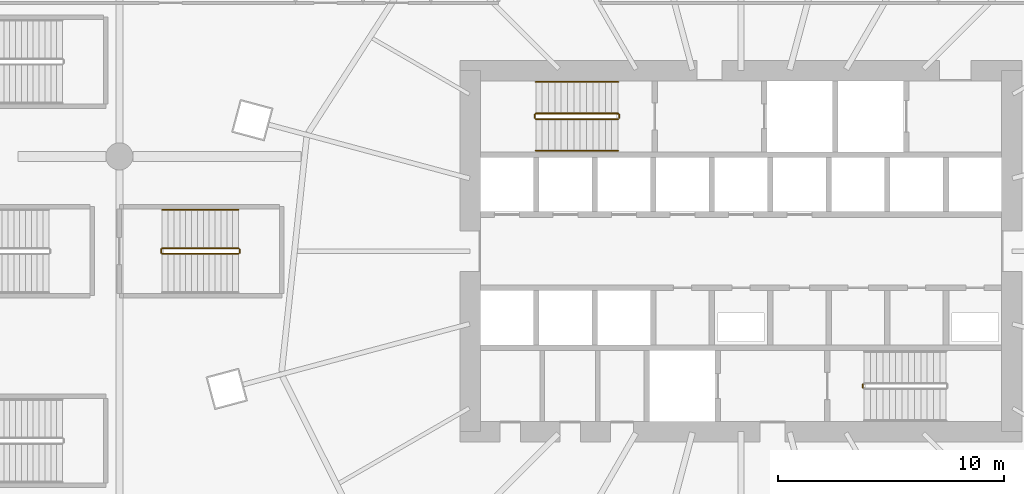
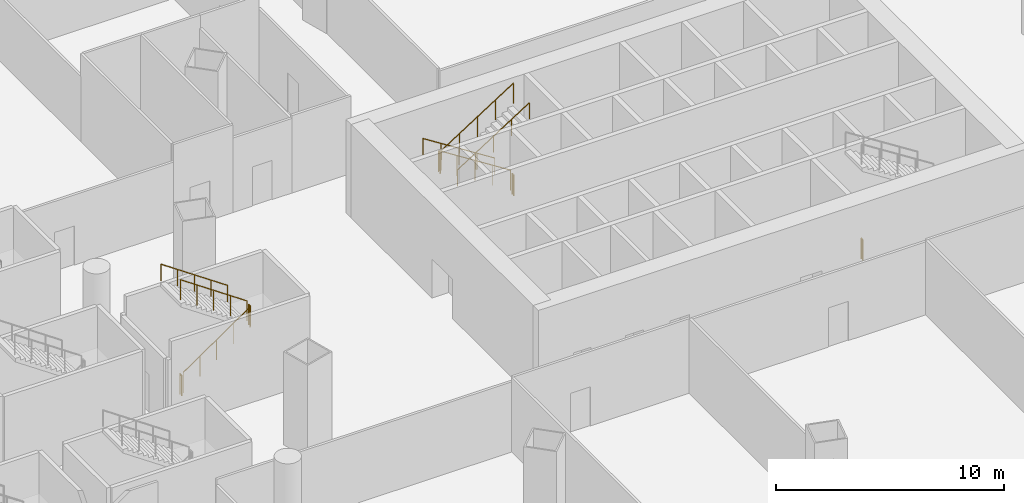
# One storey, part 48 of 51: 12 railings.
"""IFC4 building model written with IfcOpenShell, lengths in metres."""

import ifcopenshell
import ifcopenshell.guid

model = None  # the IFC model being written
_history = None  # IfcOwnerHistory: only IFC2X3 demands one
_inside = {}  # id of a spatial element -> (the spatial element, [elements in it])
_under = {}  # id of a project, library or spatial element -> (it, [spatial elements below it])
_declared = {}  # id of a project -> (the project, [libraries it declares])
_typed = {}  # id of a type object -> (the type object, [elements of that type])
_made_of = {}  # id of a material, layer set ... -> (it, [elements and type objects made of it])


def new_model(schema):
    """Start an empty IFC model of exactly this schema.

    Asked for "IFC4X3", IfcOpenShell would pick the latest addendum, in which some entities
    have other attributes; the version numbers below select the first issue.
    IFC2X3 requires an IfcOwnerHistory on every rooted entity: one is made here for all.
    """
    global model, _history
    if schema == "IFC4X3":
        model = ifcopenshell.file(schema_version=(4, 3, 0, 0))
    else:
        model = ifcopenshell.file(schema=schema)
    _inside.clear()
    _under.clear()
    _declared.clear()
    _typed.clear()
    _made_of.clear()
    _history = None
    if model.schema == "IFC2X3":
        org = make("IfcOrganization", Name="unknown")
        user = make(
            "IfcPersonAndOrganization",
            ThePerson=make("IfcPerson", FamilyName="unknown"),
            TheOrganization=org,
        )
        app = make(
            "IfcApplication",
            ApplicationDeveloper=org,
            Version="unknown",
            ApplicationFullName="unknown",
            ApplicationIdentifier="unknown",
        )
        _history = make(
            "IfcOwnerHistory",
            OwningUser=user,
            OwningApplication=app,
            ChangeAction="ADDED",
            CreationDate=0,
        )
    return model


def make(cls, **values):
    """One entity of the class cls with the attributes given. An attribute that is None is left unset."""
    return model.create_entity(
        cls, **{name: value for name, value in values.items() if value is not None}
    )


def rooted(cls, **values):
    """An entity with a GlobalId (a new one), such as an element, a storey or a relation."""
    return make(cls, GlobalId=ifcopenshell.guid.new(), OwnerHistory=_history, **values)


def si_unit(unit_type, name, prefix=None):
    """IfcSIUnit, for example si_unit("LENGTHUNIT", "METRE", prefix="MILLI")."""
    return make("IfcSIUnit", UnitType=unit_type, Prefix=prefix, Name=name)


def assignment(units):
    """IfcUnitAssignment: the units of a project."""
    return None if units is None else make("IfcUnitAssignment", Units=units)


def point(xyz):
    """IfcCartesianPoint."""
    return None if xyz is None else make("IfcCartesianPoint", Coordinates=xyz)


def direction(xyz):
    """IfcDirection."""
    return None if xyz is None else make("IfcDirection", DirectionRatios=xyz)


def frame(location, z_axis=None, x_axis=None):
    """IfcAxis2Placement3D, a coordinate frame: its origin and axes. An axis left out is left unset."""
    return make(
        "IfcAxis2Placement3D",
        Location=point(location),
        Axis=direction(z_axis),
        RefDirection=direction(x_axis),
    )


def frame_2d(location, x_axis=None):
    """IfcAxis2Placement2D, a coordinate frame in the plane: its origin and x axis."""
    return make(
        "IfcAxis2Placement2D", Location=point(location), RefDirection=direction(x_axis)
    )


def origin():
    """The frame at (0, 0, 0) with its axes left unset."""
    return frame((0.0, 0.0, 0.0))


def origin_2d():
    """The frame at (0, 0) in the plane with its x axis left unset."""
    return frame_2d((0.0, 0.0))


def place(relative_to, where):
    """IfcLocalPlacement: puts the frame where relative to a parent placement (None: the world)."""
    return make(
        "IfcLocalPlacement", PlacementRelTo=relative_to, RelativePlacement=where
    )


def context(
    kind, dimensions, precision=None, world=None, true_north=None, identifier=None
):
    """IfcGeometricRepresentationContext, for example the 3D "Model" context."""
    return make(
        "IfcGeometricRepresentationContext",
        ContextIdentifier=identifier,
        ContextType=kind,
        CoordinateSpaceDimension=dimensions,
        Precision=precision,
        WorldCoordinateSystem=world,
        TrueNorth=true_north,
    )


def subcontext(parent, identifier, kind, view, scale=None):
    """IfcGeometricRepresentationSubContext, for example "Body" below "Model"."""
    return make(
        "IfcGeometricRepresentationSubContext",
        ContextIdentifier=identifier,
        ContextType=kind,
        ParentContext=parent,
        TargetScale=scale,
        TargetView=view,
    )


def project(units=None, contexts=None):
    """IfcProject with its units and contexts."""
    return rooted(
        "IfcProject",
        Name="project",
        RepresentationContexts=contexts,
        UnitsInContext=assignment(units),
    )


def spatial(cls, under=None, at=None, **own):
    """A site, building, storey or space (cls), placed at a placement, below another one or the project."""
    s = rooted(cls, ObjectPlacement=at, **own)
    if under is not None:
        _under.setdefault(under.id(), (under, []))[1].append(s)
    return s


def profile(cls, at=None, kind="AREA", **sizes):
    """A parametric profile (cls). Its sizes go by their IFC names, for example OverallWidth=200.0."""
    return make(cls, ProfileType=kind, Position=at, **sizes)


def circle(**sizes):
    """IfcCircleProfileDef."""
    return profile("IfcCircleProfileDef", **sizes)


def extrude(swept, where, along, depth):
    """IfcExtrudedAreaSolid: the profile swept, set in the frame where, extruded along a direction by depth."""
    return make(
        "IfcExtrudedAreaSolid",
        SweptArea=swept,
        Position=where,
        ExtrudedDirection=direction(along),
        Depth=depth,
    )


def shape(context_of_items, identifier, shape_type, items):
    """IfcShapeRepresentation: the items that make up one representation, for example the "Body"."""
    return make(
        "IfcShapeRepresentation",
        ContextOfItems=context_of_items,
        RepresentationIdentifier=identifier,
        RepresentationType=shape_type,
        Items=items,
    )


def material(Name=None, Category=None):
    """IfcMaterial."""
    return make("IfcMaterial", Name=Name, Category=Category)


def made_of(thing, what):
    """Note that an element or type object is made of a material, layer set ...; save() writes the relation."""
    if what is not None:
        _made_of.setdefault(what.id(), (what, []))[1].append(thing)
    return thing


def type_object(cls, material=None, **own):
    """A type object (cls), such as IfcWallType, which elements share."""
    return made_of(rooted(cls, **own), material)


def element(
    cls,
    number,
    at=None,
    inside=None,
    cuts=None,
    type_object=None,
    material=None,
    context=None,
    identifier="Body",
    shape_type=None,
    held_by="IfcProductDefinitionShape",
    body=None,
    shapes=None,
    **own,
):
    """One element of the class cls, such as IfcWall. Its Tag is "e" and its number.

    at: its placement. inside: the storey or other place that contains it. cuts: it is an
    opening in that element (IfcRelVoidsElement). A single representation is given by context,
    identifier, shape_type and body (its items); several are given by shapes. held_by: the class
    of the entity that holds the representations. save() writes the other relations.
    """
    e = rooted(cls, Tag="e%d" % number, ObjectPlacement=at, **own)
    if body is not None:
        shapes = [shape(context, identifier, shape_type, body)]
    if shapes is not None:
        e.Representation = make(held_by, Representations=shapes)
    if inside is not None:
        _inside.setdefault(inside.id(), (inside, []))[1].append(e)
    if cuts is not None:
        rooted(
            "IfcRelVoidsElement", RelatingBuildingElement=cuts, RelatedOpeningElement=e
        )
    if type_object is not None:
        _typed.setdefault(type_object.id(), (type_object, []))[1].append(e)
    return made_of(e, material)


def aggregate(whole, parts):
    """IfcRelAggregates: a whole, such as a stair, and the parts it consists of."""
    return rooted("IfcRelAggregates", RelatingObject=whole, RelatedObjects=parts)


def save(model, path):
    """Write the relations noted so far, then the file.

    IfcRelAggregates (storeys below a building ...), IfcRelContainedInSpatialStructure (elements
    in a storey), IfcRelDefinesByType, IfcRelAssociatesMaterial and IfcRelDeclares: one each for
    every whole, place, type object, material and project.
    """
    for whole, parts in _under.values():
        aggregate(whole, parts)
    for where, things in _inside.values():
        rooted(
            "IfcRelContainedInSpatialStructure",
            RelatedElements=things,
            RelatingStructure=where,
        )
    for kind, things in _typed.values():
        rooted("IfcRelDefinesByType", RelatedObjects=things, RelatingType=kind)
    for what, things in _made_of.values():
        rooted("IfcRelAssociatesMaterial", RelatedObjects=things, RelatingMaterial=what)
    for by, libraries in _declared.values():
        rooted("IfcRelDeclares", RelatingContext=by, RelatedDefinitions=libraries)
    model.write(path)


model = new_model("IFC4")

# Units and contexts
model_context = context("Model", 3, precision=1e-05, world=origin(), true_north=direction((0.0, 1.0)))
body_context = subcontext(model_context, "Body", "Model", "MODEL_VIEW")
ifc_project = project(units=[si_unit("LENGTHUNIT", "METRE"), si_unit("AREAUNIT", "SQUARE_METRE"), si_unit("VOLUMEUNIT", "CUBIC_METRE"), si_unit("PLANEANGLEUNIT", "RADIAN"), si_unit("MASSUNIT", "GRAM", prefix="KILO")], contexts=[model_context])

# Site, building, storey
site_placement = place(None, origin())
site = spatial("IfcSite", under=ifc_project, at=site_placement, CompositionType="ELEMENT")
building_placement = place(site_placement, origin())
building = spatial("IfcBuilding", under=site, at=building_placement, Name="Rimbun Link Towers", CompositionType="ELEMENT")
storey_placement = place(building_placement, frame((0.0, 0.0, 7.0)))
storey = spatial("IfcBuildingStorey", under=building, at=storey_placement, Name="L01", CompositionType="ELEMENT", Elevation=7.0)

# Railings
ifc_material_1 = material(Name="Stainless steel grade 316", Category="steel")
railing_type_1 = type_object("IfcRailingType", Name="Stair guard", PredefinedType="GUARDRAIL", material=ifc_material_1)
railing_1_placement = place(storey_placement, frame((26.300048828125, 6.10009765625, 0.178466796875)))
element("IfcRailing", 1, at=railing_1_placement, inside=storey, type_object=railing_type_1, Name="L01 ST3 stair guard 1", PredefinedType="GUARDRAIL", context=body_context, shape_type="SweptSolid", body=[
    extrude(circle(Radius=0.02392578125, at=origin_2d()), frame((0.0, 0.0, 1.076171875), z_axis=(-0.843127859045, 0.0, 0.537713132908), x_axis=(0.0, -1.0, 0.0)), (0.0, 0.0, 1.0), 4.3173828125),
    extrude(circle(Radius=0.02099609375, at=origin_2d()), origin(), (0.0, 0.0, 1.0), 1.052001953125),
    extrude(circle(Radius=0.02099609375, at=origin_2d()), frame((-0.91015625, 0.0, 0.580322265625)), (0.0, 0.0, 1.0), 1.052001953125),
    extrude(circle(Radius=0.02099609375, at=origin_2d()), frame((-1.820068359375, 0.0, 1.16064453125)), (0.0, 0.0, 1.0), 1.052001953125),
    extrude(circle(Radius=0.02099609375, at=origin_2d()), frame((-2.72998046875, 0.0, 1.7412109375)), (0.0, 0.0, 1.0), 1.052001953125),
    extrude(circle(Radius=0.02099609375, at=origin_2d()), frame((-3.64013671875, 0.0, 2.321533203125)), (0.0, 0.0, 1.0), 1.052001953125),
])
railing_2_placement = place(storey_placement, frame((22.610107421875, 6.050048828125, 2.5)))
element("IfcRailing", 2, at=railing_2_placement, inside=storey, type_object=railing_type_1, Name="L01 ST3 stair guard 2", PredefinedType="GUARDRAIL", context=body_context, shape_type="SweptSolid", body=[
    extrude(circle(Radius=0.02392578125, at=origin_2d()), frame((0.0, 0.0, 1.076171875), z_axis=(0.0, -1.0, 0.0), x_axis=(1.0, 0.0, 0.0)), (0.0, 0.0, 1.0), 0.150146484375),
    extrude(circle(Radius=0.02099609375, at=origin_2d()), origin(), (0.0, 0.0, 1.0), 1.052001953125),
    extrude(circle(Radius=0.02099609375, at=origin_2d()), frame((0.0, -0.150146484375, 0.0)), (0.0, 0.0, 1.0), 1.052001953125),
])
railing_3_placement = place(storey_placement, frame((22.659912109375, 5.85009765625, 2.678466796875)))
element("IfcRailing", 3, at=railing_3_placement, inside=storey, type_object=railing_type_1, Name="L01 ST3 stair guard 3", PredefinedType="GUARDRAIL", context=body_context, shape_type="SweptSolid", body=[
    extrude(circle(Radius=0.02392578125, at=origin_2d()), frame((0.0, 0.0, 1.076171875), z_axis=(0.843127859045, 0.0, 0.537713132908), x_axis=(0.0, 1.0, 0.0)), (0.0, 0.0, 1.0), 4.3173828125),
    extrude(circle(Radius=0.02099609375, at=origin_2d()), origin(), (0.0, 0.0, 1.0), 1.052001953125),
    extrude(circle(Radius=0.02099609375, at=origin_2d()), frame((0.91015625, 0.0, 0.580322265625)), (0.0, 0.0, 1.0), 1.052001953125),
    extrude(circle(Radius=0.02099609375, at=origin_2d()), frame((1.820068359375, 0.0, 1.16064453125)), (0.0, 0.0, 1.0), 1.052001953125),
    extrude(circle(Radius=0.02099609375, at=origin_2d()), frame((2.72998046875, 0.0, 1.7412109375)), (0.0, 0.0, 1.0), 1.052001953125),
    extrude(circle(Radius=0.02099609375, at=origin_2d()), frame((3.64013671875, 0.0, 2.321533203125)), (0.0, 0.0, 1.0), 1.052001953125),
])
railing_4_placement = place(storey_placement, frame((26.35009765625, 6.050048828125, 0.0)))
element("IfcRailing", 4, at=railing_4_placement, inside=storey, type_object=railing_type_1, Name="L01 ST3 stair guard 4", PredefinedType="GUARDRAIL", context=body_context, shape_type="SweptSolid", body=[
    extrude(circle(Radius=0.02392578125, at=origin_2d()), frame((0.0, 0.0, 1.076171875), z_axis=(0.0, -1.0, 0.0), x_axis=(1.0, 0.0, 0.0)), (0.0, 0.0, 1.0), 0.150146484375),
    extrude(circle(Radius=0.02099609375, at=origin_2d()), origin(), (0.0, 0.0, 1.0), 1.052001953125),
    extrude(circle(Radius=0.02099609375, at=origin_2d()), frame((0.0, -0.150146484375, 0.0)), (0.0, 0.0, 1.0), 1.052001953125),
])
railing_5_placement = place(storey_placement, frame((37.14990234375, -6.050048828125, 0.0)))
element("IfcRailing", 5, at=railing_5_placement, inside=storey, type_object=railing_type_1, Name="L01 ST4 stair guard 4", PredefinedType="GUARDRAIL", context=body_context, shape_type="SweptSolid", body=[
    extrude(circle(Radius=0.02392578125, at=origin_2d()), frame((0.0, 0.0, 1.076171875), z_axis=(0.0, 1.0, 0.0), x_axis=(-1.0, 0.0, 0.0)), (0.0, 0.0, 1.0), 0.150146484375),
    extrude(circle(Radius=0.02099609375, at=origin_2d()), origin(), (0.0, 0.0, 1.0), 1.052001953125),
    extrude(circle(Radius=0.02099609375, at=origin_2d()), frame((0.0, 0.150146484375, 0.0)), (0.0, 0.0, 1.0), 1.052001953125),
])
railing_6_placement = place(storey_placement, frame((6.10009765625, -0.125, 0.178466796875)))
element("IfcRailing", 6, at=railing_6_placement, inside=storey, type_object=railing_type_1, Name="L01 PS5 stair guard 1", PredefinedType="GUARDRAIL", context=body_context, shape_type="SweptSolid", body=[
    extrude(circle(Radius=0.02392578125, at=origin_2d()), frame((0.0, 0.0, 1.076171875), z_axis=(0.824285065979, 0.0, 0.566174999451), x_axis=(0.0, 1.0, 0.0)), (0.0, 0.0, 1.0), 4.100341796875),
    extrude(circle(Radius=0.02099609375, at=origin_2d()), origin(), (0.0, 0.0, 1.0), 1.052001953125),
    extrude(circle(Radius=0.02099609375, at=origin_2d()), frame((0.844970703125, 0.0, 0.580322265625)), (0.0, 0.0, 1.0), 1.052001953125),
    extrude(circle(Radius=0.02099609375, at=origin_2d()), frame((1.68994140625, 0.0, 1.16064453125)), (0.0, 0.0, 1.0), 1.052001953125),
    extrude(circle(Radius=0.02099609375, at=origin_2d()), frame((2.534912109375, 0.0, 1.7412109375)), (0.0, 0.0, 1.0), 1.052001953125),
    extrude(circle(Radius=0.02099609375, at=origin_2d()), frame((3.3798828125, 0.0, 2.321533203125)), (0.0, 0.0, 1.0), 1.052001953125),
])
railing_7_placement = place(storey_placement, frame((9.530029296875, -0.074951171875, 2.5)))
element("IfcRailing", 7, at=railing_7_placement, inside=storey, type_object=railing_type_1, Name="L01 PS5 stair guard 2", PredefinedType="GUARDRAIL", context=body_context, shape_type="SweptSolid", body=[
    extrude(circle(Radius=0.02392578125, at=origin_2d()), frame((0.0, 0.0, 1.076171875), z_axis=(0.0, 1.0, 0.0), x_axis=(-1.0, 0.0, 0.0)), (0.0, 0.0, 1.0), 0.14990234375),
    extrude(circle(Radius=0.02099609375, at=origin_2d()), origin(), (0.0, 0.0, 1.0), 1.052001953125),
    extrude(circle(Radius=0.02099609375, at=origin_2d()), frame((0.0, 0.14990234375, 0.0)), (0.0, 0.0, 1.0), 1.052001953125),
])
railing_8_placement = place(storey_placement, frame((9.47998046875, 0.125, 2.678466796875)))
element("IfcRailing", 8, at=railing_8_placement, inside=storey, type_object=railing_type_1, Name="L01 PS5 stair guard 3", PredefinedType="GUARDRAIL", context=body_context, shape_type="SweptSolid", body=[
    extrude(circle(Radius=0.02392578125, at=origin_2d()), frame((0.0, 0.0, 1.076171875), z_axis=(-0.824285065979, 0.0, 0.566174999451), x_axis=(0.0, -1.0, 0.0)), (0.0, 0.0, 1.0), 4.100341796875),
    extrude(circle(Radius=0.02099609375, at=origin_2d()), origin(), (0.0, 0.0, 1.0), 1.052001953125),
    extrude(circle(Radius=0.02099609375, at=origin_2d()), frame((-0.844970703125, 0.0, 0.580322265625)), (0.0, 0.0, 1.0), 1.052001953125),
    extrude(circle(Radius=0.02099609375, at=origin_2d()), frame((-1.68994140625, 0.0, 1.16064453125)), (0.0, 0.0, 1.0), 1.052001953125),
    extrude(circle(Radius=0.02099609375, at=origin_2d()), frame((-2.534912109375, 0.0, 1.7412109375)), (0.0, 0.0, 1.0), 1.052001953125),
    extrude(circle(Radius=0.02099609375, at=origin_2d()), frame((-3.3798828125, 0.0, 2.321533203125)), (0.0, 0.0, 1.0), 1.052001953125),
])
railing_9_placement = place(storey_placement, frame((6.050048828125, -0.074951171875, 0.0)))
element("IfcRailing", 9, at=railing_9_placement, inside=storey, type_object=railing_type_1, Name="L01 PS5 stair guard 4", PredefinedType="GUARDRAIL", context=body_context, shape_type="SweptSolid", body=[
    extrude(circle(Radius=0.02392578125, at=origin_2d()), frame((0.0, 0.0, 1.076171875), z_axis=(0.0, 1.0, 0.0), x_axis=(-1.0, 0.0, 0.0)), (0.0, 0.0, 1.0), 0.14990234375),
    extrude(circle(Radius=0.02099609375, at=origin_2d()), origin(), (0.0, 0.0, 1.0), 1.052001953125),
    extrude(circle(Radius=0.02099609375, at=origin_2d()), frame((0.0, 0.14990234375, 0.0)), (0.0, 0.0, 1.0), 1.052001953125),
])
ifc_material_2 = material(Name="Stainless steel grade 316", Category="steel")
railing_type_2 = type_object("IfcRailingType", Name="Stair handrail", PredefinedType="HANDRAIL", material=ifc_material_2)
railing_10_placement = place(storey_placement, frame((26.300048828125, 7.5, 0.178466796875)))
element("IfcRailing", 10, at=railing_10_placement, inside=storey, type_object=railing_type_2, Name="L01 ST3 stair handrail 1", PredefinedType="HANDRAIL", context=body_context, shape_type="SweptSolid", body=[
    extrude(circle(Radius=0.02392578125, at=origin_2d()), frame((0.0, 0.0, 0.8759765625), z_axis=(-0.843127859045, 0.0, 0.537713132908), x_axis=(0.0, -1.0, 0.0)), (0.0, 0.0, 1.0), 4.3173828125),
    extrude(circle(Radius=0.02099609375, at=origin_2d()), origin(), (0.0, 0.0, 1.0), 0.851806640625),
    extrude(circle(Radius=0.02099609375, at=origin_2d()), frame((-0.91015625, 0.0, 0.580322265625)), (0.0, 0.0, 1.0), 0.851806640625),
    extrude(circle(Radius=0.02099609375, at=origin_2d()), frame((-1.820068359375, 0.0, 1.16064453125)), (0.0, 0.0, 1.0), 0.851806640625),
    extrude(circle(Radius=0.02099609375, at=origin_2d()), frame((-2.72998046875, 0.0, 1.7412109375)), (0.0, 0.0, 1.0), 0.851806640625),
    extrude(circle(Radius=0.02099609375, at=origin_2d()), frame((-3.64013671875, 0.0, 2.321533203125)), (0.0, 0.0, 1.0), 0.851806640625),
])
railing_11_placement = place(storey_placement, frame((22.659912109375, 4.449951171875, 2.678466796875)))
element("IfcRailing", 11, at=railing_11_placement, inside=storey, type_object=railing_type_2, Name="L01 ST3 stair handrail 2", PredefinedType="HANDRAIL", context=body_context, shape_type="SweptSolid", body=[
    extrude(circle(Radius=0.02392578125, at=origin_2d()), frame((0.0, 0.0, 0.8759765625), z_axis=(0.843127859045, 0.0, 0.537713132908), x_axis=(0.0, 1.0, 0.0)), (0.0, 0.0, 1.0), 4.3173828125),
    extrude(circle(Radius=0.02099609375, at=origin_2d()), origin(), (0.0, 0.0, 1.0), 0.851806640625),
    extrude(circle(Radius=0.02099609375, at=origin_2d()), frame((0.91015625, 0.0, 0.580322265625)), (0.0, 0.0, 1.0), 0.851806640625),
    extrude(circle(Radius=0.02099609375, at=origin_2d()), frame((1.820068359375, 0.0, 1.16064453125)), (0.0, 0.0, 1.0), 0.851806640625),
    extrude(circle(Radius=0.02099609375, at=origin_2d()), frame((2.72998046875, 0.0, 1.7412109375)), (0.0, 0.0, 1.0), 0.851806640625),
    extrude(circle(Radius=0.02099609375, at=origin_2d()), frame((3.64013671875, 0.0, 2.321533203125)), (0.0, 0.0, 1.0), 0.851806640625),
])
railing_12_placement = place(storey_placement, frame((9.47998046875, 1.824951171875, 2.678466796875)))
element("IfcRailing", 12, at=railing_12_placement, inside=storey, type_object=railing_type_2, Name="L01 PS5 stair handrail 2", PredefinedType="HANDRAIL", context=body_context, shape_type="SweptSolid", body=[
    extrude(circle(Radius=0.02392578125, at=origin_2d()), frame((0.0, 0.0, 0.8759765625), z_axis=(-0.824285065979, 0.0, 0.566174999451), x_axis=(0.0, -1.0, 0.0)), (0.0, 0.0, 1.0), 4.100341796875),
    extrude(circle(Radius=0.02099609375, at=origin_2d()), origin(), (0.0, 0.0, 1.0), 0.851806640625),
    extrude(circle(Radius=0.02099609375, at=origin_2d()), frame((-0.844970703125, 0.0, 0.580322265625)), (0.0, 0.0, 1.0), 0.851806640625),
    extrude(circle(Radius=0.02099609375, at=origin_2d()), frame((-1.68994140625, 0.0, 1.16064453125)), (0.0, 0.0, 1.0), 0.851806640625),
    extrude(circle(Radius=0.02099609375, at=origin_2d()), frame((-2.534912109375, 0.0, 1.7412109375)), (0.0, 0.0, 1.0), 0.851806640625),
    extrude(circle(Radius=0.02099609375, at=origin_2d()), frame((-3.3798828125, 0.0, 2.321533203125)), (0.0, 0.0, 1.0), 0.851806640625),
])

save(model, "model.ifc")
